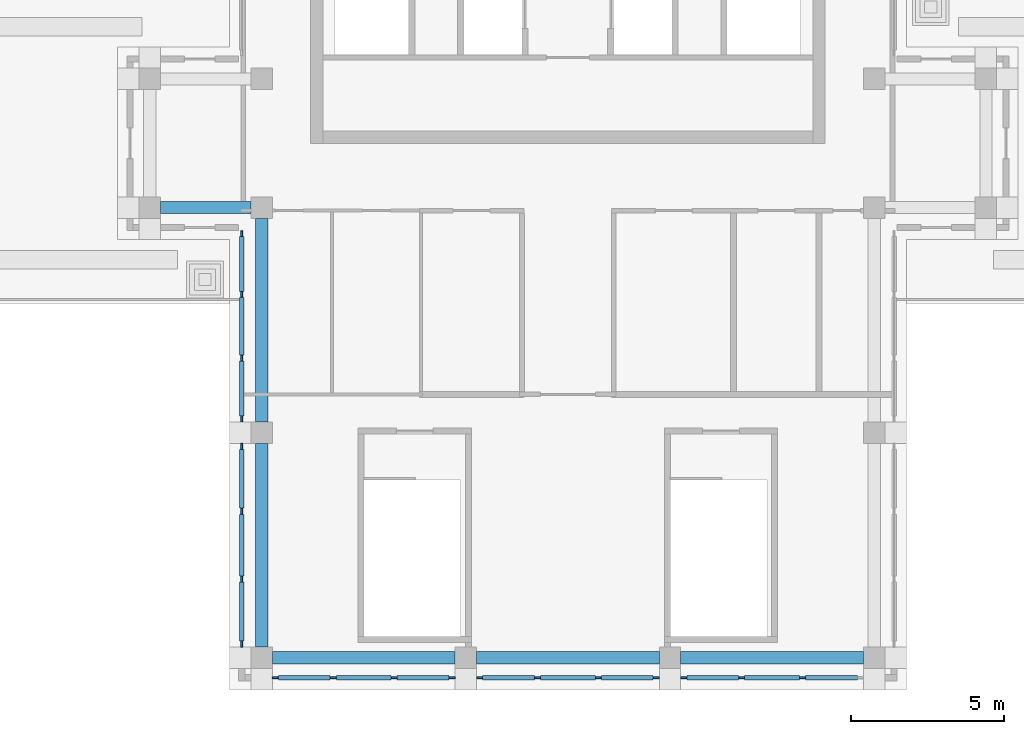
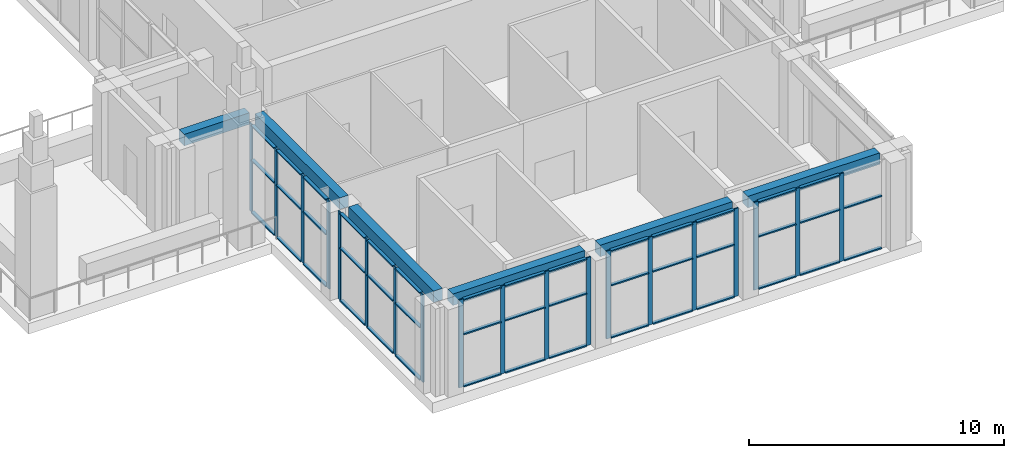
# One storey, part 2 of 12: 63 members, 6 beams, 5 elements without a shape of their own.
"""IFC4 building model written with IfcOpenShell, lengths in metres."""

import ifcopenshell
import ifcopenshell.guid

model = None  # the IFC model being written
_history = None  # IfcOwnerHistory: only IFC2X3 demands one
_inside = {}  # id of a spatial element -> (the spatial element, [elements in it])
_under = {}  # id of a project, library or spatial element -> (it, [spatial elements below it])
_declared = {}  # id of a project -> (the project, [libraries it declares])
_typed = {}  # id of a type object -> (the type object, [elements of that type])
_made_of = {}  # id of a material, layer set ... -> (it, [elements and type objects made of it])


def new_model(schema):
    """Start an empty IFC model of exactly this schema.

    Asked for "IFC4X3", IfcOpenShell would pick the latest addendum, in which some entities
    have other attributes; the version numbers below select the first issue.
    IFC2X3 requires an IfcOwnerHistory on every rooted entity: one is made here for all.
    """
    global model, _history
    if schema == "IFC4X3":
        model = ifcopenshell.file(schema_version=(4, 3, 0, 0))
    else:
        model = ifcopenshell.file(schema=schema)
    _inside.clear()
    _under.clear()
    _declared.clear()
    _typed.clear()
    _made_of.clear()
    _history = None
    if model.schema == "IFC2X3":
        org = make("IfcOrganization", Name="unknown")
        user = make(
            "IfcPersonAndOrganization",
            ThePerson=make("IfcPerson", FamilyName="unknown"),
            TheOrganization=org,
        )
        app = make(
            "IfcApplication",
            ApplicationDeveloper=org,
            Version="unknown",
            ApplicationFullName="unknown",
            ApplicationIdentifier="unknown",
        )
        _history = make(
            "IfcOwnerHistory",
            OwningUser=user,
            OwningApplication=app,
            ChangeAction="ADDED",
            CreationDate=0,
        )
    return model


def make(cls, **values):
    """One entity of the class cls with the attributes given. An attribute that is None is left unset."""
    return model.create_entity(
        cls, **{name: value for name, value in values.items() if value is not None}
    )


def rooted(cls, **values):
    """An entity with a GlobalId (a new one), such as an element, a storey or a relation."""
    return make(cls, GlobalId=ifcopenshell.guid.new(), OwnerHistory=_history, **values)


def si_unit(unit_type, name, prefix=None):
    """IfcSIUnit, for example si_unit("LENGTHUNIT", "METRE", prefix="MILLI")."""
    return make("IfcSIUnit", UnitType=unit_type, Prefix=prefix, Name=name)


def assignment(units):
    """IfcUnitAssignment: the units of a project."""
    return None if units is None else make("IfcUnitAssignment", Units=units)


def point(xyz):
    """IfcCartesianPoint."""
    return None if xyz is None else make("IfcCartesianPoint", Coordinates=xyz)


def direction(xyz):
    """IfcDirection."""
    return None if xyz is None else make("IfcDirection", DirectionRatios=xyz)


def frame(location, z_axis=None, x_axis=None):
    """IfcAxis2Placement3D, a coordinate frame: its origin and axes. An axis left out is left unset."""
    return make(
        "IfcAxis2Placement3D",
        Location=point(location),
        Axis=direction(z_axis),
        RefDirection=direction(x_axis),
    )


def frame_2d(location, x_axis=None):
    """IfcAxis2Placement2D, a coordinate frame in the plane: its origin and x axis."""
    return make(
        "IfcAxis2Placement2D", Location=point(location), RefDirection=direction(x_axis)
    )


def origin():
    """The frame at (0, 0, 0) with its axes left unset."""
    return frame((0.0, 0.0, 0.0))


def origin_2d():
    """The frame at (0, 0) in the plane with its x axis left unset."""
    return frame_2d((0.0, 0.0))


def place(relative_to, where):
    """IfcLocalPlacement: puts the frame where relative to a parent placement (None: the world)."""
    return make(
        "IfcLocalPlacement", PlacementRelTo=relative_to, RelativePlacement=where
    )


def context(
    kind, dimensions, precision=None, world=None, true_north=None, identifier=None
):
    """IfcGeometricRepresentationContext, for example the 3D "Model" context."""
    return make(
        "IfcGeometricRepresentationContext",
        ContextIdentifier=identifier,
        ContextType=kind,
        CoordinateSpaceDimension=dimensions,
        Precision=precision,
        WorldCoordinateSystem=world,
        TrueNorth=true_north,
    )


def subcontext(parent, identifier, kind, view, scale=None):
    """IfcGeometricRepresentationSubContext, for example "Body" below "Model"."""
    return make(
        "IfcGeometricRepresentationSubContext",
        ContextIdentifier=identifier,
        ContextType=kind,
        ParentContext=parent,
        TargetScale=scale,
        TargetView=view,
    )


def project(units=None, contexts=None):
    """IfcProject with its units and contexts."""
    return rooted(
        "IfcProject",
        Name="project",
        RepresentationContexts=contexts,
        UnitsInContext=assignment(units),
    )


def spatial(cls, under=None, at=None, **own):
    """A site, building, storey or space (cls), placed at a placement, below another one or the project."""
    s = rooted(cls, ObjectPlacement=at, **own)
    if under is not None:
        _under.setdefault(under.id(), (under, []))[1].append(s)
    return s


def profile(cls, at=None, kind="AREA", **sizes):
    """A parametric profile (cls). Its sizes go by their IFC names, for example OverallWidth=200.0."""
    return make(cls, ProfileType=kind, Position=at, **sizes)


def rectangle(**sizes):
    """IfcRectangleProfileDef."""
    return profile("IfcRectangleProfileDef", **sizes)


def extrude(swept, where, along, depth):
    """IfcExtrudedAreaSolid: the profile swept, set in the frame where, extruded along a direction by depth."""
    return make(
        "IfcExtrudedAreaSolid",
        SweptArea=swept,
        Position=where,
        ExtrudedDirection=direction(along),
        Depth=depth,
    )


def shape(context_of_items, identifier, shape_type, items):
    """IfcShapeRepresentation: the items that make up one representation, for example the "Body"."""
    return make(
        "IfcShapeRepresentation",
        ContextOfItems=context_of_items,
        RepresentationIdentifier=identifier,
        RepresentationType=shape_type,
        Items=items,
    )


def material(Name=None, Category=None):
    """IfcMaterial."""
    return make("IfcMaterial", Name=Name, Category=Category)


def material_profile(
    of_material, cross_section, Name=None, Category=None, Priority=None
):
    """IfcMaterialProfile: a cross section and its material."""
    return make(
        "IfcMaterialProfile",
        Name=Name,
        Material=of_material,
        Profile=cross_section,
        Priority=Priority,
        Category=Category,
    )


def profile_set(profiles, Name=None, composite=None):
    """IfcMaterialProfileSet."""
    return make(
        "IfcMaterialProfileSet",
        Name=Name,
        MaterialProfiles=profiles,
        CompositeProfile=composite,
    )


def made_of(thing, what):
    """Note that an element or type object is made of a material, layer set ...; save() writes the relation."""
    if what is not None:
        _made_of.setdefault(what.id(), (what, []))[1].append(thing)
    return thing


def type_object(cls, material=None, **own):
    """A type object (cls), such as IfcWallType, which elements share."""
    return made_of(rooted(cls, **own), material)


def element(
    cls,
    number,
    at=None,
    inside=None,
    cuts=None,
    type_object=None,
    material=None,
    context=None,
    identifier="Body",
    shape_type=None,
    held_by="IfcProductDefinitionShape",
    body=None,
    shapes=None,
    **own,
):
    """One element of the class cls, such as IfcWall. Its Tag is "e" and its number.

    at: its placement. inside: the storey or other place that contains it. cuts: it is an
    opening in that element (IfcRelVoidsElement). A single representation is given by context,
    identifier, shape_type and body (its items); several are given by shapes. held_by: the class
    of the entity that holds the representations. save() writes the other relations.
    """
    e = rooted(cls, Tag="e%d" % number, ObjectPlacement=at, **own)
    if body is not None:
        shapes = [shape(context, identifier, shape_type, body)]
    if shapes is not None:
        e.Representation = make(held_by, Representations=shapes)
    if inside is not None:
        _inside.setdefault(inside.id(), (inside, []))[1].append(e)
    if cuts is not None:
        rooted(
            "IfcRelVoidsElement", RelatingBuildingElement=cuts, RelatedOpeningElement=e
        )
    if type_object is not None:
        _typed.setdefault(type_object.id(), (type_object, []))[1].append(e)
    return made_of(e, material)


def aggregate(whole, parts):
    """IfcRelAggregates: a whole, such as a stair, and the parts it consists of."""
    return rooted("IfcRelAggregates", RelatingObject=whole, RelatedObjects=parts)


def save(model, path):
    """Write the relations noted so far, then the file.

    IfcRelAggregates (storeys below a building ...), IfcRelContainedInSpatialStructure (elements
    in a storey), IfcRelDefinesByType, IfcRelAssociatesMaterial and IfcRelDeclares: one each for
    every whole, place, type object, material and project.
    """
    for whole, parts in _under.values():
        aggregate(whole, parts)
    for where, things in _inside.values():
        rooted(
            "IfcRelContainedInSpatialStructure",
            RelatedElements=things,
            RelatingStructure=where,
        )
    for kind, things in _typed.values():
        rooted("IfcRelDefinesByType", RelatedObjects=things, RelatingType=kind)
    for what, things in _made_of.values():
        rooted("IfcRelAssociatesMaterial", RelatedObjects=things, RelatingMaterial=what)
    for by, libraries in _declared.values():
        rooted("IfcRelDeclares", RelatingContext=by, RelatedDefinitions=libraries)
    model.write(path)


model = new_model("IFC4")

# Units and contexts
model_context = context("Model", 3, precision=1e-05, world=origin(), true_north=direction((0.0, 1.0)))
body_context = subcontext(model_context, "Body", "Model", "MODEL_VIEW")
ifc_project = project(units=[si_unit("LENGTHUNIT", "METRE"), si_unit("AREAUNIT", "SQUARE_METRE"), si_unit("VOLUMEUNIT", "CUBIC_METRE"), si_unit("PLANEANGLEUNIT", "RADIAN"), si_unit("MASSUNIT", "GRAM", prefix="KILO")], contexts=[model_context])

# Site, building, storey
site_placement = place(None, origin())
site = spatial("IfcSite", under=ifc_project, at=site_placement, CompositionType="ELEMENT")
building_placement = place(site_placement, origin())
building = spatial("IfcBuilding", under=site, at=building_placement, Name="Vermilion Ogive Tower", CompositionType="ELEMENT")
storey_placement = place(building_placement, frame((0.0, 0.0, 298.35009765625)))
storey = spatial("IfcBuildingStorey", under=building, at=storey_placement, Name="L77", CompositionType="ELEMENT", Elevation=298.35009765625)

# Curtain wall, members
ifc_material_1 = material(Name="Low-iron laminated glazing in aluminium frame", Category="aluminium")
curtain_wall_type = type_object("IfcCurtainWallType", Name="Curtain wall CW3", PredefinedType="NOTDEFINED", material=ifc_material_1)
curtain_wall_1_placement = place(storey_placement, origin())
curtain_wall_1 = element("IfcCurtainWall", 1, at=curtain_wall_1_placement, inside=storey, type_object=curtain_wall_type, Name="CW3 glazing S2", PredefinedType="NOTDEFINED")
ifc_material_2 = material(Name="Aluminium mullion", Category="aluminium")
ifc_material_profile_1 = material_profile(ifc_material_2, rectangle(XDim=0.06005859375, YDim=0.199951171875, at=origin_2d()), Name="AL 60x200")
ifc_profile_set_1 = profile_set([ifc_material_profile_1], Name="Aluminium mullion")
member_type_1 = type_object("IfcMemberType", Name="CW3 mullion 60x200", PredefinedType="MULLION", material=ifc_profile_set_1)
member_1_placement = place(storey_placement, frame((-9.550048828125, -13.25, 0.0), z_axis=(0.0, 0.0, 1.0), x_axis=(0.0, 1.0, 0.0)))
member_1 = element("IfcMember", 2, at=member_1_placement, type_object=member_type_1, Name="CW3-S2 mullion 1", PredefinedType="MULLION", context=body_context, shape_type="SweptSolid", body=[
    extrude(rectangle(XDim=0.06005859375, YDim=0.199951171875, at=origin_2d()), origin(), (0.0, 0.0, 1.0), 4.199951171875),
])
member_2_placement = place(storey_placement, frame((-7.6611328125, -13.25, 0.0), z_axis=(0.0, 0.0, 1.0), x_axis=(0.0, 1.0, 0.0)))
member_2 = element("IfcMember", 3, at=member_2_placement, type_object=member_type_1, Name="CW3-S2 mullion 2", PredefinedType="MULLION", context=body_context, shape_type="SweptSolid", body=[
    extrude(rectangle(XDim=0.06005859375, YDim=0.199951171875, at=origin_2d()), origin(), (0.0, 0.0, 1.0), 4.199951171875),
])
member_3_placement = place(storey_placement, frame((-5.672119140625, -13.25, 0.0), z_axis=(0.0, 0.0, 1.0), x_axis=(0.0, 1.0, 0.0)))
member_3 = element("IfcMember", 4, at=member_3_placement, type_object=member_type_1, Name="CW3-S2 mullion 3", PredefinedType="MULLION", context=body_context, shape_type="SweptSolid", body=[
    extrude(rectangle(XDim=0.06005859375, YDim=0.199951171875, at=origin_2d()), origin(), (0.0, 0.0, 1.0), 4.199951171875),
])
member_4_placement = place(storey_placement, frame((-3.783447265625, -13.25, 0.0), z_axis=(0.0, 0.0, 1.0), x_axis=(0.0, 1.0, 0.0)))
member_4 = element("IfcMember", 5, at=member_4_placement, type_object=member_type_1, Name="CW3-S2 mullion 4", PredefinedType="MULLION", context=body_context, shape_type="SweptSolid", body=[
    extrude(rectangle(XDim=0.06005859375, YDim=0.199951171875, at=origin_2d()), origin(), (0.0, 0.0, 1.0), 4.199951171875),
])

curtain_wall_2_placement = place(storey_placement, origin())
curtain_wall_2 = element("IfcCurtainWall", 6, at=curtain_wall_2_placement, inside=storey, type_object=curtain_wall_type, Name="CW3 glazing S3", PredefinedType="NOTDEFINED")
member_5_placement = place(storey_placement, frame((-2.88330078125, -13.25, 0.0), z_axis=(0.0, 0.0, 1.0), x_axis=(0.0, 1.0, 0.0)))
member_5 = element("IfcMember", 7, at=member_5_placement, type_object=member_type_1, Name="CW3-S3 mullion 1", PredefinedType="MULLION", context=body_context, shape_type="SweptSolid", body=[
    extrude(rectangle(XDim=0.06005859375, YDim=0.199951171875, at=origin_2d()), origin(), (0.0, 0.0, 1.0), 4.199951171875),
])
member_6_placement = place(storey_placement, frame((-0.994384765625, -13.25, 0.0), z_axis=(0.0, 0.0, 1.0), x_axis=(0.0, 1.0, 0.0)))
member_6 = element("IfcMember", 8, at=member_6_placement, type_object=member_type_1, Name="CW3-S3 mullion 2", PredefinedType="MULLION", context=body_context, shape_type="SweptSolid", body=[
    extrude(rectangle(XDim=0.06005859375, YDim=0.199951171875, at=origin_2d()), origin(), (0.0, 0.0, 1.0), 4.199951171875),
])
member_7_placement = place(storey_placement, frame((0.994384765625, -13.25, 0.0), z_axis=(0.0, 0.0, 1.0), x_axis=(0.0, 1.0, 0.0)))
member_7 = element("IfcMember", 9, at=member_7_placement, type_object=member_type_1, Name="CW3-S3 mullion 3", PredefinedType="MULLION", context=body_context, shape_type="SweptSolid", body=[
    extrude(rectangle(XDim=0.06005859375, YDim=0.199951171875, at=origin_2d()), origin(), (0.0, 0.0, 1.0), 4.199951171875),
])
member_8_placement = place(storey_placement, frame((2.88330078125, -13.25, 0.0), z_axis=(0.0, 0.0, 1.0), x_axis=(0.0, 1.0, 0.0)))
member_8 = element("IfcMember", 10, at=member_8_placement, type_object=member_type_1, Name="CW3-S3 mullion 4", PredefinedType="MULLION", context=body_context, shape_type="SweptSolid", body=[
    extrude(rectangle(XDim=0.06005859375, YDim=0.199951171875, at=origin_2d()), origin(), (0.0, 0.0, 1.0), 4.199951171875),
])

curtain_wall_3_placement = place(storey_placement, origin())
curtain_wall_3 = element("IfcCurtainWall", 11, at=curtain_wall_3_placement, inside=storey, type_object=curtain_wall_type, Name="CW3 glazing S4", PredefinedType="NOTDEFINED")
member_9_placement = place(storey_placement, frame((3.783447265625, -13.25, 0.0), z_axis=(0.0, 0.0, 1.0), x_axis=(0.0, 1.0, 0.0)))
member_9 = element("IfcMember", 12, at=member_9_placement, type_object=member_type_1, Name="CW3-S4 mullion 1", PredefinedType="MULLION", context=body_context, shape_type="SweptSolid", body=[
    extrude(rectangle(XDim=0.06005859375, YDim=0.199951171875, at=origin_2d()), origin(), (0.0, 0.0, 1.0), 4.199951171875),
])
member_10_placement = place(storey_placement, frame((5.672119140625, -13.25, 0.0), z_axis=(0.0, 0.0, 1.0), x_axis=(0.0, 1.0, 0.0)))
member_10 = element("IfcMember", 13, at=member_10_placement, type_object=member_type_1, Name="CW3-S4 mullion 2", PredefinedType="MULLION", context=body_context, shape_type="SweptSolid", body=[
    extrude(rectangle(XDim=0.06005859375, YDim=0.199951171875, at=origin_2d()), origin(), (0.0, 0.0, 1.0), 4.199951171875),
])
member_11_placement = place(storey_placement, frame((7.6611328125, -13.25, 0.0), z_axis=(0.0, 0.0, 1.0), x_axis=(0.0, 1.0, 0.0)))
member_11 = element("IfcMember", 14, at=member_11_placement, type_object=member_type_1, Name="CW3-S4 mullion 3", PredefinedType="MULLION", context=body_context, shape_type="SweptSolid", body=[
    extrude(rectangle(XDim=0.06005859375, YDim=0.199951171875, at=origin_2d()), origin(), (0.0, 0.0, 1.0), 4.199951171875),
])

curtain_wall_4_placement = place(storey_placement, origin())
curtain_wall_4 = element("IfcCurtainWall", 15, at=curtain_wall_4_placement, inside=storey, type_object=curtain_wall_type, Name="CW3 glazing X81", PredefinedType="NOTDEFINED")
member_12_placement = place(storey_placement, frame((-10.64990234375, 1.25, 0.0), z_axis=(0.0, 0.0, 1.0), x_axis=(1.0, 0.0, 0.0)))
member_12 = element("IfcMember", 16, at=member_12_placement, type_object=member_type_1, Name="CW3-X81 mullion 1", PredefinedType="MULLION", context=body_context, shape_type="SweptSolid", body=[
    extrude(rectangle(XDim=0.06005859375, YDim=0.199951171875, at=origin_2d()), origin(), (0.0, 0.0, 1.0), 4.199951171875),
])
member_13_placement = place(storey_placement, frame((-10.64990234375, -0.7333984375, 0.0), z_axis=(0.0, 0.0, 1.0), x_axis=(1.0, 0.0, 0.0)))
member_13 = element("IfcMember", 17, at=member_13_placement, type_object=member_type_1, Name="CW3-X81 mullion 2", PredefinedType="MULLION", context=body_context, shape_type="SweptSolid", body=[
    extrude(rectangle(XDim=0.06005859375, YDim=0.199951171875, at=origin_2d()), origin(), (0.0, 0.0, 1.0), 4.199951171875),
])
member_14_placement = place(storey_placement, frame((-10.64990234375, -2.816650390625, 0.0), z_axis=(0.0, 0.0, 1.0), x_axis=(1.0, 0.0, 0.0)))
member_14 = element("IfcMember", 18, at=member_14_placement, type_object=member_type_1, Name="CW3-X81 mullion 3", PredefinedType="MULLION", context=body_context, shape_type="SweptSolid", body=[
    extrude(rectangle(XDim=0.06005859375, YDim=0.199951171875, at=origin_2d()), origin(), (0.0, 0.0, 1.0), 4.199951171875),
])
member_15_placement = place(storey_placement, frame((-10.64990234375, -4.800048828125, 0.0), z_axis=(0.0, 0.0, 1.0), x_axis=(1.0, 0.0, 0.0)))
member_15 = element("IfcMember", 19, at=member_15_placement, type_object=member_type_1, Name="CW3-X81 mullion 4", PredefinedType="MULLION", context=body_context, shape_type="SweptSolid", body=[
    extrude(rectangle(XDim=0.06005859375, YDim=0.199951171875, at=origin_2d()), origin(), (0.0, 0.0, 1.0), 4.199951171875),
])

curtain_wall_5_placement = place(storey_placement, origin())
curtain_wall_5 = element("IfcCurtainWall", 20, at=curtain_wall_5_placement, inside=storey, type_object=curtain_wall_type, Name="CW3 glazing X82", PredefinedType="NOTDEFINED")
member_16_placement = place(storey_placement, frame((-10.64990234375, -5.699951171875, 0.0), z_axis=(0.0, 0.0, 1.0), x_axis=(1.0, 0.0, 0.0)))
member_16 = element("IfcMember", 21, at=member_16_placement, type_object=member_type_1, Name="CW3-X82 mullion 1", PredefinedType="MULLION", context=body_context, shape_type="SweptSolid", body=[
    extrude(rectangle(XDim=0.06005859375, YDim=0.199951171875, at=origin_2d()), origin(), (0.0, 0.0, 1.0), 4.199951171875),
])
member_17_placement = place(storey_placement, frame((-10.64990234375, -7.816650390625, 0.0), z_axis=(0.0, 0.0, 1.0), x_axis=(1.0, 0.0, 0.0)))
member_17 = element("IfcMember", 22, at=member_17_placement, type_object=member_type_1, Name="CW3-X82 mullion 2", PredefinedType="MULLION", context=body_context, shape_type="SweptSolid", body=[
    extrude(rectangle(XDim=0.06005859375, YDim=0.199951171875, at=origin_2d()), origin(), (0.0, 0.0, 1.0), 4.199951171875),
])
member_18_placement = place(storey_placement, frame((-10.64990234375, -10.033447265625, 0.0), z_axis=(0.0, 0.0, 1.0), x_axis=(1.0, 0.0, 0.0)))
member_18 = element("IfcMember", 23, at=member_18_placement, type_object=member_type_1, Name="CW3-X82 mullion 3", PredefinedType="MULLION", context=body_context, shape_type="SweptSolid", body=[
    extrude(rectangle(XDim=0.06005859375, YDim=0.199951171875, at=origin_2d()), origin(), (0.0, 0.0, 1.0), 4.199951171875),
])
member_19_placement = place(storey_placement, frame((-10.64990234375, -12.14990234375, 0.0), z_axis=(0.0, 0.0, 1.0), x_axis=(1.0, 0.0, 0.0)))
member_19 = element("IfcMember", 24, at=member_19_placement, type_object=member_type_1, Name="CW3-X82 mullion 4", PredefinedType="MULLION", context=body_context, shape_type="SweptSolid", body=[
    extrude(rectangle(XDim=0.06005859375, YDim=0.199951171875, at=origin_2d()), origin(), (0.0, 0.0, 1.0), 4.199951171875),
])

# Member
ifc_material_3 = material(Name="Aluminium transom", Category="aluminium")
ifc_material_profile_2 = material_profile(ifc_material_3, rectangle(XDim=0.14990234375, YDim=0.06005859375, at=origin_2d()), Name="AL 60x150")
ifc_profile_set_2 = profile_set([ifc_material_profile_2], Name="Aluminium transom")
member_type_2 = type_object("IfcMemberType", Name="CW3 transom 60x150", PredefinedType="USERDEFINED", material=ifc_profile_set_2)
member_20_placement = place(storey_placement, frame((-9.449951171875, -13.25, 0.02978515625), z_axis=(1.0, 0.0, 0.0), x_axis=(0.0, 1.0, 0.0)))
member_20 = element("IfcMember", 25, at=member_20_placement, type_object=member_type_2, Name="CW3-S2 transom 1.1", ObjectType="TRANSOM", PredefinedType="USERDEFINED", context=body_context, shape_type="SweptSolid", body=[
    extrude(rectangle(XDim=0.14990234375, YDim=0.06005859375, at=origin_2d()), origin(), (0.0, 0.0, 1.0), 1.688720703125),
])

member_21_placement = place(storey_placement, frame((-9.449951171875, -13.25, 2.52001953125), z_axis=(1.0, 0.0, 0.0), x_axis=(0.0, 1.0, 0.0)))
member_21 = element("IfcMember", 26, at=member_21_placement, type_object=member_type_2, Name="CW3-S2 transom 1.2", ObjectType="TRANSOM", PredefinedType="USERDEFINED", context=body_context, shape_type="SweptSolid", body=[
    extrude(rectangle(XDim=0.14990234375, YDim=0.06005859375, at=origin_2d()), origin(), (0.0, 0.0, 1.0), 1.688720703125),
])

member_22_placement = place(storey_placement, frame((-9.449951171875, -13.25, 4.169921875), z_axis=(1.0, 0.0, 0.0), x_axis=(0.0, 1.0, 0.0)))
member_22 = element("IfcMember", 27, at=member_22_placement, type_object=member_type_2, Name="CW3-S2 transom 1.3", ObjectType="TRANSOM", PredefinedType="USERDEFINED", context=body_context, shape_type="SweptSolid", body=[
    extrude(rectangle(XDim=0.14990234375, YDim=0.06005859375, at=origin_2d()), origin(), (0.0, 0.0, 1.0), 1.688720703125),
])

member_23_placement = place(storey_placement, frame((-7.56103515625, -13.25, 0.02978515625), z_axis=(1.0, 0.0, 0.0), x_axis=(0.0, 1.0, 0.0)))
member_23 = element("IfcMember", 28, at=member_23_placement, type_object=member_type_2, Name="CW3-S2 transom 2.1", ObjectType="TRANSOM", PredefinedType="USERDEFINED", context=body_context, shape_type="SweptSolid", body=[
    extrude(rectangle(XDim=0.14990234375, YDim=0.06005859375, at=origin_2d()), origin(), (0.0, 0.0, 1.0), 1.788818359375),
])

member_24_placement = place(storey_placement, frame((-7.56103515625, -13.25, 2.52001953125), z_axis=(1.0, 0.0, 0.0), x_axis=(0.0, 1.0, 0.0)))
member_24 = element("IfcMember", 29, at=member_24_placement, type_object=member_type_2, Name="CW3-S2 transom 2.2", ObjectType="TRANSOM", PredefinedType="USERDEFINED", context=body_context, shape_type="SweptSolid", body=[
    extrude(rectangle(XDim=0.14990234375, YDim=0.06005859375, at=origin_2d()), origin(), (0.0, 0.0, 1.0), 1.788818359375),
])

member_25_placement = place(storey_placement, frame((-7.56103515625, -13.25, 4.169921875), z_axis=(1.0, 0.0, 0.0), x_axis=(0.0, 1.0, 0.0)))
member_25 = element("IfcMember", 30, at=member_25_placement, type_object=member_type_2, Name="CW3-S2 transom 2.3", ObjectType="TRANSOM", PredefinedType="USERDEFINED", context=body_context, shape_type="SweptSolid", body=[
    extrude(rectangle(XDim=0.14990234375, YDim=0.06005859375, at=origin_2d()), origin(), (0.0, 0.0, 1.0), 1.788818359375),
])

member_26_placement = place(storey_placement, frame((-5.572265625, -13.25, 0.02978515625), z_axis=(1.0, 0.0, 0.0), x_axis=(0.0, 1.0, 0.0)))
member_26 = element("IfcMember", 31, at=member_26_placement, type_object=member_type_2, Name="CW3-S2 transom 3.1", ObjectType="TRANSOM", PredefinedType="USERDEFINED", context=body_context, shape_type="SweptSolid", body=[
    extrude(rectangle(XDim=0.14990234375, YDim=0.06005859375, at=origin_2d()), origin(), (0.0, 0.0, 1.0), 1.68896484375),
])

member_27_placement = place(storey_placement, frame((-5.572265625, -13.25, 2.52001953125), z_axis=(1.0, 0.0, 0.0), x_axis=(0.0, 1.0, 0.0)))
member_27 = element("IfcMember", 32, at=member_27_placement, type_object=member_type_2, Name="CW3-S2 transom 3.2", ObjectType="TRANSOM", PredefinedType="USERDEFINED", context=body_context, shape_type="SweptSolid", body=[
    extrude(rectangle(XDim=0.14990234375, YDim=0.06005859375, at=origin_2d()), origin(), (0.0, 0.0, 1.0), 1.68896484375),
])

member_28_placement = place(storey_placement, frame((-5.572265625, -13.25, 4.169921875), z_axis=(1.0, 0.0, 0.0), x_axis=(0.0, 1.0, 0.0)))
member_28 = element("IfcMember", 33, at=member_28_placement, type_object=member_type_2, Name="CW3-S2 transom 3.3", ObjectType="TRANSOM", PredefinedType="USERDEFINED", context=body_context, shape_type="SweptSolid", body=[
    extrude(rectangle(XDim=0.14990234375, YDim=0.06005859375, at=origin_2d()), origin(), (0.0, 0.0, 1.0), 1.68896484375),
])

aggregate(curtain_wall_1, [member_1, member_2, member_3, member_4, member_20, member_21, member_22, member_23, member_24, member_25, member_26, member_27, member_28])

member_29_placement = place(storey_placement, frame((-2.783447265625, -13.25, 0.02978515625), z_axis=(1.0, 0.0, 0.0), x_axis=(0.0, 1.0, 0.0)))
member_29 = element("IfcMember", 34, at=member_29_placement, type_object=member_type_2, Name="CW3-S3 transom 1.1", ObjectType="TRANSOM", PredefinedType="USERDEFINED", context=body_context, shape_type="SweptSolid", body=[
    extrude(rectangle(XDim=0.14990234375, YDim=0.06005859375, at=origin_2d()), origin(), (0.0, 0.0, 1.0), 1.68896484375),
])

member_30_placement = place(storey_placement, frame((-2.783447265625, -13.25, 2.52001953125), z_axis=(1.0, 0.0, 0.0), x_axis=(0.0, 1.0, 0.0)))
member_30 = element("IfcMember", 35, at=member_30_placement, type_object=member_type_2, Name="CW3-S3 transom 1.2", ObjectType="TRANSOM", PredefinedType="USERDEFINED", context=body_context, shape_type="SweptSolid", body=[
    extrude(rectangle(XDim=0.14990234375, YDim=0.06005859375, at=origin_2d()), origin(), (0.0, 0.0, 1.0), 1.68896484375),
])

member_31_placement = place(storey_placement, frame((-2.783447265625, -13.25, 4.169921875), z_axis=(1.0, 0.0, 0.0), x_axis=(0.0, 1.0, 0.0)))
member_31 = element("IfcMember", 36, at=member_31_placement, type_object=member_type_2, Name="CW3-S3 transom 1.3", ObjectType="TRANSOM", PredefinedType="USERDEFINED", context=body_context, shape_type="SweptSolid", body=[
    extrude(rectangle(XDim=0.14990234375, YDim=0.06005859375, at=origin_2d()), origin(), (0.0, 0.0, 1.0), 1.68896484375),
])

member_32_placement = place(storey_placement, frame((-0.89453125, -13.25, 0.02978515625), z_axis=(1.0, 0.0, 0.0), x_axis=(0.0, 1.0, 0.0)))
member_32 = element("IfcMember", 37, at=member_32_placement, type_object=member_type_2, Name="CW3-S3 transom 2.1", ObjectType="TRANSOM", PredefinedType="USERDEFINED", context=body_context, shape_type="SweptSolid", body=[
    extrude(rectangle(XDim=0.14990234375, YDim=0.06005859375, at=origin_2d()), origin(), (0.0, 0.0, 1.0), 1.7890625),
])

member_33_placement = place(storey_placement, frame((-0.89453125, -13.25, 2.52001953125), z_axis=(1.0, 0.0, 0.0), x_axis=(0.0, 1.0, 0.0)))
member_33 = element("IfcMember", 38, at=member_33_placement, type_object=member_type_2, Name="CW3-S3 transom 2.2", ObjectType="TRANSOM", PredefinedType="USERDEFINED", context=body_context, shape_type="SweptSolid", body=[
    extrude(rectangle(XDim=0.14990234375, YDim=0.06005859375, at=origin_2d()), origin(), (0.0, 0.0, 1.0), 1.7890625),
])

member_34_placement = place(storey_placement, frame((-0.89453125, -13.25, 4.169921875), z_axis=(1.0, 0.0, 0.0), x_axis=(0.0, 1.0, 0.0)))
member_34 = element("IfcMember", 39, at=member_34_placement, type_object=member_type_2, Name="CW3-S3 transom 2.3", ObjectType="TRANSOM", PredefinedType="USERDEFINED", context=body_context, shape_type="SweptSolid", body=[
    extrude(rectangle(XDim=0.14990234375, YDim=0.06005859375, at=origin_2d()), origin(), (0.0, 0.0, 1.0), 1.7890625),
])

member_35_placement = place(storey_placement, frame((1.094482421875, -13.25, 0.02978515625), z_axis=(1.0, 0.0, 0.0), x_axis=(0.0, 1.0, 0.0)))
member_35 = element("IfcMember", 40, at=member_35_placement, type_object=member_type_2, Name="CW3-S3 transom 3.1", ObjectType="TRANSOM", PredefinedType="USERDEFINED", context=body_context, shape_type="SweptSolid", body=[
    extrude(rectangle(XDim=0.14990234375, YDim=0.06005859375, at=origin_2d()), origin(), (0.0, 0.0, 1.0), 1.68896484375),
])

member_36_placement = place(storey_placement, frame((1.094482421875, -13.25, 2.52001953125), z_axis=(1.0, 0.0, 0.0), x_axis=(0.0, 1.0, 0.0)))
member_36 = element("IfcMember", 41, at=member_36_placement, type_object=member_type_2, Name="CW3-S3 transom 3.2", ObjectType="TRANSOM", PredefinedType="USERDEFINED", context=body_context, shape_type="SweptSolid", body=[
    extrude(rectangle(XDim=0.14990234375, YDim=0.06005859375, at=origin_2d()), origin(), (0.0, 0.0, 1.0), 1.68896484375),
])

member_37_placement = place(storey_placement, frame((1.094482421875, -13.25, 4.169921875), z_axis=(1.0, 0.0, 0.0), x_axis=(0.0, 1.0, 0.0)))
member_37 = element("IfcMember", 42, at=member_37_placement, type_object=member_type_2, Name="CW3-S3 transom 3.3", ObjectType="TRANSOM", PredefinedType="USERDEFINED", context=body_context, shape_type="SweptSolid", body=[
    extrude(rectangle(XDim=0.14990234375, YDim=0.06005859375, at=origin_2d()), origin(), (0.0, 0.0, 1.0), 1.68896484375),
])

aggregate(curtain_wall_2, [member_5, member_6, member_7, member_8, member_29, member_30, member_31, member_32, member_33, member_34, member_35, member_36, member_37])

member_38_placement = place(storey_placement, frame((3.88330078125, -13.25, 0.02978515625), z_axis=(1.0, 0.0, 0.0), x_axis=(0.0, 1.0, 0.0)))
member_38 = element("IfcMember", 43, at=member_38_placement, type_object=member_type_2, Name="CW3-S4 transom 1.1", ObjectType="TRANSOM", PredefinedType="USERDEFINED", context=body_context, shape_type="SweptSolid", body=[
    extrude(rectangle(XDim=0.14990234375, YDim=0.06005859375, at=origin_2d()), origin(), (0.0, 0.0, 1.0), 1.68896484375),
])

member_39_placement = place(storey_placement, frame((3.88330078125, -13.25, 2.52001953125), z_axis=(1.0, 0.0, 0.0), x_axis=(0.0, 1.0, 0.0)))
member_39 = element("IfcMember", 44, at=member_39_placement, type_object=member_type_2, Name="CW3-S4 transom 1.2", ObjectType="TRANSOM", PredefinedType="USERDEFINED", context=body_context, shape_type="SweptSolid", body=[
    extrude(rectangle(XDim=0.14990234375, YDim=0.06005859375, at=origin_2d()), origin(), (0.0, 0.0, 1.0), 1.68896484375),
])

member_40_placement = place(storey_placement, frame((3.88330078125, -13.25, 4.169921875), z_axis=(1.0, 0.0, 0.0), x_axis=(0.0, 1.0, 0.0)))
member_40 = element("IfcMember", 45, at=member_40_placement, type_object=member_type_2, Name="CW3-S4 transom 1.3", ObjectType="TRANSOM", PredefinedType="USERDEFINED", context=body_context, shape_type="SweptSolid", body=[
    extrude(rectangle(XDim=0.14990234375, YDim=0.06005859375, at=origin_2d()), origin(), (0.0, 0.0, 1.0), 1.68896484375),
])

member_41_placement = place(storey_placement, frame((5.772216796875, -13.25, 0.02978515625), z_axis=(1.0, 0.0, 0.0), x_axis=(0.0, 1.0, 0.0)))
member_41 = element("IfcMember", 46, at=member_41_placement, type_object=member_type_2, Name="CW3-S4 transom 2.1", ObjectType="TRANSOM", PredefinedType="USERDEFINED", context=body_context, shape_type="SweptSolid", body=[
    extrude(rectangle(XDim=0.14990234375, YDim=0.06005859375, at=origin_2d()), origin(), (0.0, 0.0, 1.0), 1.788818359375),
])

member_42_placement = place(storey_placement, frame((5.772216796875, -13.25, 2.52001953125), z_axis=(1.0, 0.0, 0.0), x_axis=(0.0, 1.0, 0.0)))
member_42 = element("IfcMember", 47, at=member_42_placement, type_object=member_type_2, Name="CW3-S4 transom 2.2", ObjectType="TRANSOM", PredefinedType="USERDEFINED", context=body_context, shape_type="SweptSolid", body=[
    extrude(rectangle(XDim=0.14990234375, YDim=0.06005859375, at=origin_2d()), origin(), (0.0, 0.0, 1.0), 1.788818359375),
])

member_43_placement = place(storey_placement, frame((5.772216796875, -13.25, 4.169921875), z_axis=(1.0, 0.0, 0.0), x_axis=(0.0, 1.0, 0.0)))
member_43 = element("IfcMember", 48, at=member_43_placement, type_object=member_type_2, Name="CW3-S4 transom 2.3", ObjectType="TRANSOM", PredefinedType="USERDEFINED", context=body_context, shape_type="SweptSolid", body=[
    extrude(rectangle(XDim=0.14990234375, YDim=0.06005859375, at=origin_2d()), origin(), (0.0, 0.0, 1.0), 1.788818359375),
])

member_44_placement = place(storey_placement, frame((7.76123046875, -13.25, 0.02978515625), z_axis=(1.0, 0.0, 0.0), x_axis=(0.0, 1.0, 0.0)))
member_44 = element("IfcMember", 49, at=member_44_placement, type_object=member_type_2, Name="CW3-S4 transom 3.1", ObjectType="TRANSOM", PredefinedType="USERDEFINED", context=body_context, shape_type="SweptSolid", body=[
    extrude(rectangle(XDim=0.14990234375, YDim=0.06005859375, at=origin_2d()), origin(), (0.0, 0.0, 1.0), 1.688720703125),
])

member_45_placement = place(storey_placement, frame((7.76123046875, -13.25, 2.52001953125), z_axis=(1.0, 0.0, 0.0), x_axis=(0.0, 1.0, 0.0)))
member_45 = element("IfcMember", 50, at=member_45_placement, type_object=member_type_2, Name="CW3-S4 transom 3.2", ObjectType="TRANSOM", PredefinedType="USERDEFINED", context=body_context, shape_type="SweptSolid", body=[
    extrude(rectangle(XDim=0.14990234375, YDim=0.06005859375, at=origin_2d()), origin(), (0.0, 0.0, 1.0), 1.688720703125),
])

aggregate(curtain_wall_3, [member_9, member_10, member_11, member_38, member_39, member_40, member_41, member_42, member_43, member_44, member_45])

member_46_placement = place(storey_placement, frame((-10.64990234375, 1.14990234375, 0.02978515625), z_axis=(0.0, -1.0, 0.0), x_axis=(1.0, 0.0, 0.0)))
member_46 = element("IfcMember", 51, at=member_46_placement, type_object=member_type_2, Name="CW3-X81 transom 1.1", ObjectType="TRANSOM", PredefinedType="USERDEFINED", context=body_context, shape_type="SweptSolid", body=[
    extrude(rectangle(XDim=0.14990234375, YDim=0.06005859375, at=origin_2d()), origin(), (0.0, 0.0, 1.0), 1.783203125),
])

member_47_placement = place(storey_placement, frame((-10.64990234375, 1.14990234375, 2.52001953125), z_axis=(0.0, -1.0, 0.0), x_axis=(1.0, 0.0, 0.0)))
member_47 = element("IfcMember", 52, at=member_47_placement, type_object=member_type_2, Name="CW3-X81 transom 1.2", ObjectType="TRANSOM", PredefinedType="USERDEFINED", context=body_context, shape_type="SweptSolid", body=[
    extrude(rectangle(XDim=0.14990234375, YDim=0.06005859375, at=origin_2d()), origin(), (0.0, 0.0, 1.0), 1.783203125),
])

member_48_placement = place(storey_placement, frame((-10.64990234375, 1.14990234375, 4.169921875), z_axis=(0.0, -1.0, 0.0), x_axis=(1.0, 0.0, 0.0)))
member_48 = element("IfcMember", 53, at=member_48_placement, type_object=member_type_2, Name="CW3-X81 transom 1.3", ObjectType="TRANSOM", PredefinedType="USERDEFINED", context=body_context, shape_type="SweptSolid", body=[
    extrude(rectangle(XDim=0.14990234375, YDim=0.06005859375, at=origin_2d()), origin(), (0.0, 0.0, 1.0), 1.783203125),
])

member_49_placement = place(storey_placement, frame((-10.64990234375, -0.833251953125, 0.02978515625), z_axis=(0.0, -1.0, 0.0), x_axis=(1.0, 0.0, 0.0)))
member_49 = element("IfcMember", 54, at=member_49_placement, type_object=member_type_2, Name="CW3-X81 transom 2.1", ObjectType="TRANSOM", PredefinedType="USERDEFINED", context=body_context, shape_type="SweptSolid", body=[
    extrude(rectangle(XDim=0.14990234375, YDim=0.06005859375, at=origin_2d()), origin(), (0.0, 0.0, 1.0), 1.88330078125),
])

member_50_placement = place(storey_placement, frame((-10.64990234375, -0.833251953125, 2.52001953125), z_axis=(0.0, -1.0, 0.0), x_axis=(1.0, 0.0, 0.0)))
member_50 = element("IfcMember", 55, at=member_50_placement, type_object=member_type_2, Name="CW3-X81 transom 2.2", ObjectType="TRANSOM", PredefinedType="USERDEFINED", context=body_context, shape_type="SweptSolid", body=[
    extrude(rectangle(XDim=0.14990234375, YDim=0.06005859375, at=origin_2d()), origin(), (0.0, 0.0, 1.0), 1.88330078125),
])

member_51_placement = place(storey_placement, frame((-10.64990234375, -0.833251953125, 4.169921875), z_axis=(0.0, -1.0, 0.0), x_axis=(1.0, 0.0, 0.0)))
member_51 = element("IfcMember", 56, at=member_51_placement, type_object=member_type_2, Name="CW3-X81 transom 2.3", ObjectType="TRANSOM", PredefinedType="USERDEFINED", context=body_context, shape_type="SweptSolid", body=[
    extrude(rectangle(XDim=0.14990234375, YDim=0.06005859375, at=origin_2d()), origin(), (0.0, 0.0, 1.0), 1.88330078125),
])

member_52_placement = place(storey_placement, frame((-10.64990234375, -2.916748046875, 0.02978515625), z_axis=(0.0, -1.0, 0.0), x_axis=(1.0, 0.0, 0.0)))
member_52 = element("IfcMember", 57, at=member_52_placement, type_object=member_type_2, Name="CW3-X81 transom 3.1", ObjectType="TRANSOM", PredefinedType="USERDEFINED", context=body_context, shape_type="SweptSolid", body=[
    extrude(rectangle(XDim=0.14990234375, YDim=0.06005859375, at=origin_2d()), origin(), (0.0, 0.0, 1.0), 1.783203125),
])

member_53_placement = place(storey_placement, frame((-10.64990234375, -2.916748046875, 2.52001953125), z_axis=(0.0, -1.0, 0.0), x_axis=(1.0, 0.0, 0.0)))
member_53 = element("IfcMember", 58, at=member_53_placement, type_object=member_type_2, Name="CW3-X81 transom 3.2", ObjectType="TRANSOM", PredefinedType="USERDEFINED", context=body_context, shape_type="SweptSolid", body=[
    extrude(rectangle(XDim=0.14990234375, YDim=0.06005859375, at=origin_2d()), origin(), (0.0, 0.0, 1.0), 1.783203125),
])

member_54_placement = place(storey_placement, frame((-10.64990234375, -2.916748046875, 4.169921875), z_axis=(0.0, -1.0, 0.0), x_axis=(1.0, 0.0, 0.0)))
member_54 = element("IfcMember", 59, at=member_54_placement, type_object=member_type_2, Name="CW3-X81 transom 3.3", ObjectType="TRANSOM", PredefinedType="USERDEFINED", context=body_context, shape_type="SweptSolid", body=[
    extrude(rectangle(XDim=0.14990234375, YDim=0.06005859375, at=origin_2d()), origin(), (0.0, 0.0, 1.0), 1.783203125),
])

aggregate(curtain_wall_4, [member_12, member_13, member_14, member_15, member_46, member_47, member_48, member_49, member_50, member_51, member_52, member_53, member_54])

member_55_placement = place(storey_placement, frame((-10.64990234375, -5.800048828125, 0.02978515625), z_axis=(0.0, -1.0, 0.0), x_axis=(1.0, 0.0, 0.0)))
member_55 = element("IfcMember", 60, at=member_55_placement, type_object=member_type_2, Name="CW3-X82 transom 1.1", ObjectType="TRANSOM", PredefinedType="USERDEFINED", context=body_context, shape_type="SweptSolid", body=[
    extrude(rectangle(XDim=0.14990234375, YDim=0.06005859375, at=origin_2d()), origin(), (0.0, 0.0, 1.0), 1.91650390625),
])

member_56_placement = place(storey_placement, frame((-10.64990234375, -5.800048828125, 2.52001953125), z_axis=(0.0, -1.0, 0.0), x_axis=(1.0, 0.0, 0.0)))
member_56 = element("IfcMember", 61, at=member_56_placement, type_object=member_type_2, Name="CW3-X82 transom 1.2", ObjectType="TRANSOM", PredefinedType="USERDEFINED", context=body_context, shape_type="SweptSolid", body=[
    extrude(rectangle(XDim=0.14990234375, YDim=0.06005859375, at=origin_2d()), origin(), (0.0, 0.0, 1.0), 1.91650390625),
])

member_57_placement = place(storey_placement, frame((-10.64990234375, -5.800048828125, 4.169921875), z_axis=(0.0, -1.0, 0.0), x_axis=(1.0, 0.0, 0.0)))
member_57 = element("IfcMember", 62, at=member_57_placement, type_object=member_type_2, Name="CW3-X82 transom 1.3", ObjectType="TRANSOM", PredefinedType="USERDEFINED", context=body_context, shape_type="SweptSolid", body=[
    extrude(rectangle(XDim=0.14990234375, YDim=0.06005859375, at=origin_2d()), origin(), (0.0, 0.0, 1.0), 1.91650390625),
])

member_58_placement = place(storey_placement, frame((-10.64990234375, -7.916748046875, 0.02978515625), z_axis=(0.0, -1.0, 0.0), x_axis=(1.0, 0.0, 0.0)))
member_58 = element("IfcMember", 63, at=member_58_placement, type_object=member_type_2, Name="CW3-X82 transom 2.1", ObjectType="TRANSOM", PredefinedType="USERDEFINED", context=body_context, shape_type="SweptSolid", body=[
    extrude(rectangle(XDim=0.14990234375, YDim=0.06005859375, at=origin_2d()), origin(), (0.0, 0.0, 1.0), 2.0166015625),
])

member_59_placement = place(storey_placement, frame((-10.64990234375, -7.916748046875, 2.52001953125), z_axis=(0.0, -1.0, 0.0), x_axis=(1.0, 0.0, 0.0)))
member_59 = element("IfcMember", 64, at=member_59_placement, type_object=member_type_2, Name="CW3-X82 transom 2.2", ObjectType="TRANSOM", PredefinedType="USERDEFINED", context=body_context, shape_type="SweptSolid", body=[
    extrude(rectangle(XDim=0.14990234375, YDim=0.06005859375, at=origin_2d()), origin(), (0.0, 0.0, 1.0), 2.0166015625),
])

member_60_placement = place(storey_placement, frame((-10.64990234375, -7.916748046875, 4.169921875), z_axis=(0.0, -1.0, 0.0), x_axis=(1.0, 0.0, 0.0)))
member_60 = element("IfcMember", 65, at=member_60_placement, type_object=member_type_2, Name="CW3-X82 transom 2.3", ObjectType="TRANSOM", PredefinedType="USERDEFINED", context=body_context, shape_type="SweptSolid", body=[
    extrude(rectangle(XDim=0.14990234375, YDim=0.06005859375, at=origin_2d()), origin(), (0.0, 0.0, 1.0), 2.0166015625),
])

member_61_placement = place(storey_placement, frame((-10.64990234375, -10.13330078125, 0.02978515625), z_axis=(0.0, -1.0, 0.0), x_axis=(1.0, 0.0, 0.0)))
member_61 = element("IfcMember", 66, at=member_61_placement, type_object=member_type_2, Name="CW3-X82 transom 3.1", ObjectType="TRANSOM", PredefinedType="USERDEFINED", context=body_context, shape_type="SweptSolid", body=[
    extrude(rectangle(XDim=0.14990234375, YDim=0.06005859375, at=origin_2d()), origin(), (0.0, 0.0, 1.0), 1.916748046875),
])

member_62_placement = place(storey_placement, frame((-10.64990234375, -10.13330078125, 2.52001953125), z_axis=(0.0, -1.0, 0.0), x_axis=(1.0, 0.0, 0.0)))
member_62 = element("IfcMember", 67, at=member_62_placement, type_object=member_type_2, Name="CW3-X82 transom 3.2", ObjectType="TRANSOM", PredefinedType="USERDEFINED", context=body_context, shape_type="SweptSolid", body=[
    extrude(rectangle(XDim=0.14990234375, YDim=0.06005859375, at=origin_2d()), origin(), (0.0, 0.0, 1.0), 1.916748046875),
])

member_63_placement = place(storey_placement, frame((-10.64990234375, -10.13330078125, 4.169921875), z_axis=(0.0, -1.0, 0.0), x_axis=(1.0, 0.0, 0.0)))
member_63 = element("IfcMember", 68, at=member_63_placement, type_object=member_type_2, Name="CW3-X82 transom 3.3", ObjectType="TRANSOM", PredefinedType="USERDEFINED", context=body_context, shape_type="SweptSolid", body=[
    extrude(rectangle(XDim=0.14990234375, YDim=0.06005859375, at=origin_2d()), origin(), (0.0, 0.0, 1.0), 1.916748046875),
])

aggregate(curtain_wall_5, [member_16, member_17, member_18, member_19, member_55, member_56, member_57, member_58, member_59, member_60, member_61, member_62, member_63])

# Beams
ifc_material_4 = material(Name="Concrete B45", Category="concrete")
ifc_material_profile_3 = material_profile(ifc_material_4, rectangle(XDim=0.39990234375, YDim=0.550048828125, at=origin_2d()), Name="400 x 550")
ifc_profile_set_3 = profile_set([ifc_material_profile_3], Name="Concrete B45")
beam_type = type_object("IfcBeamType", Name="Edge beam 400 x 550 B45", PredefinedType="BEAM", material=ifc_profile_set_3)
beam_1_placement = place(storey_placement, frame((-9.64990234375, -12.60009765625, 3.9248046875), z_axis=(1.0, 0.0, 0.0), x_axis=(0.0, 1.0, 0.0)))
element("IfcBeam", 69, at=beam_1_placement, inside=storey, type_object=beam_type, Name="L77-EB-1", PredefinedType="BEAM", context=body_context, shape_type="SweptSolid", body=[
    extrude(rectangle(XDim=0.39990234375, YDim=0.550048828125, at=origin_2d()), origin(), (0.0, 0.0, 1.0), 5.966552734375),
])
beam_2_placement = place(storey_placement, frame((-2.9833984375, -12.60009765625, 3.9248046875), z_axis=(1.0, 0.0, 0.0), x_axis=(0.0, 1.0, 0.0)))
element("IfcBeam", 70, at=beam_2_placement, inside=storey, type_object=beam_type, Name="L77-EB-2", PredefinedType="BEAM", context=body_context, shape_type="SweptSolid", body=[
    extrude(rectangle(XDim=0.39990234375, YDim=0.550048828125, at=origin_2d()), origin(), (0.0, 0.0, 1.0), 5.966796875),
])
beam_3_placement = place(storey_placement, frame((3.683349609375, -12.60009765625, 3.9248046875), z_axis=(1.0, 0.0, 0.0), x_axis=(0.0, 1.0, 0.0)))
element("IfcBeam", 71, at=beam_3_placement, inside=storey, type_object=beam_type, Name="L77-EB-3", PredefinedType="BEAM", context=body_context, shape_type="SweptSolid", body=[
    extrude(rectangle(XDim=0.39990234375, YDim=0.550048828125, at=origin_2d()), origin(), (0.0, 0.0, 1.0), 5.966552734375),
])
beam_4_placement = place(storey_placement, frame((-13.300048828125, 2.10009765625, 3.9248046875), z_axis=(1.0, 0.0, 0.0), x_axis=(0.0, 1.0, 0.0)))
element("IfcBeam", 72, at=beam_4_placement, inside=storey, type_object=beam_type, Name="L77-EB-11", PredefinedType="BEAM", context=body_context, shape_type="SweptSolid", body=[
    extrude(rectangle(XDim=0.39990234375, YDim=0.550048828125, at=origin_2d()), origin(), (0.0, 0.0, 1.0), 2.949951171875),
])
for number, where, z_axis, x_axis, name in (
    (73, (-10.0, 1.75, 3.9248046875), (0.0, -1.0, 0.0), (1.0, 0.0, 0.0), "L77-EB-12"),
    (74, (-10.0, -5.60009765625, 3.9248046875), (0.0, -1.0, 0.0), (1.0, 0.0, 0.0), "L77-EB-13"),
):
    element("IfcBeam", number, at=place(storey_placement, frame(where, z_axis=z_axis, x_axis=x_axis)), inside=storey, type_object=beam_type, Name=name, PredefinedType="BEAM", context=body_context, shape_type="SweptSolid", body=[
        extrude(rectangle(XDim=0.39990234375, YDim=0.550048828125, at=origin_2d()), origin(), (0.0, 0.0, 1.0), 6.64990234375),
    ])

save(model, "model.ifc")
